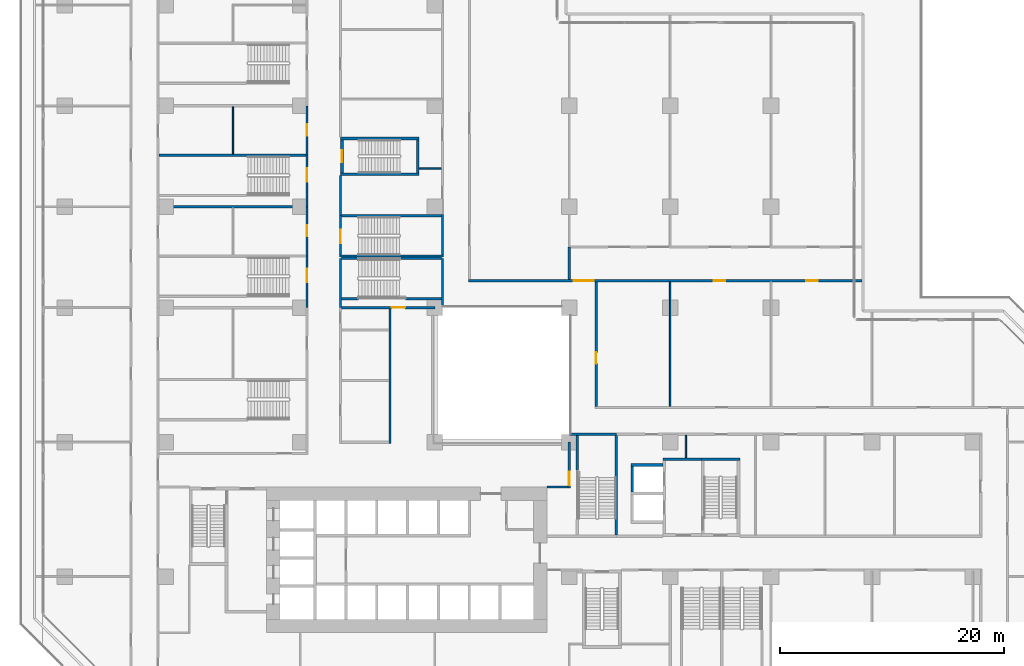
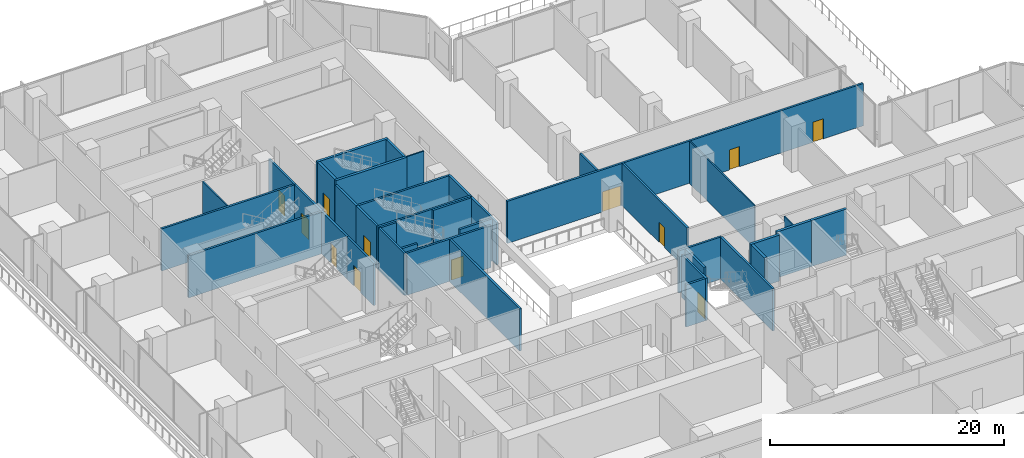
# One storey, part 18 of 31: 39 walls, 12 doors, 12 openings.
"""IFC4 building model written with IfcOpenShell, lengths in metres."""

from ifc_helpers import new_model, si_unit, direction, frame, frame_2d, origin, place, context, subcontext, project, spatial, rectangle, extrude, material, layer, layer_set, type_object, element, fill, save


model = new_model("IFC4")

# Units and contexts
model_context = context("Model", 3, precision=1e-05, world=origin(), true_north=direction((0.0, 1.0)))
body_context = subcontext(model_context, "Body", "Model", "MODEL_VIEW")
ifc_project = project(units=[si_unit("LENGTHUNIT", "METRE"), si_unit("AREAUNIT", "SQUARE_METRE"), si_unit("VOLUMEUNIT", "CUBIC_METRE"), si_unit("PLANEANGLEUNIT", "RADIAN"), si_unit("MASSUNIT", "GRAM", prefix="KILO")], contexts=[model_context])

# Site, building, storey
site_placement = place(None, origin())
site = spatial("IfcSite", under=ifc_project, at=site_placement, CompositionType="ELEMENT")
building_placement = place(site_placement, origin())
building = spatial("IfcBuilding", under=site, at=building_placement, Name="Chenar Terraces", CompositionType="ELEMENT")
storey_placement = place(building_placement, frame((0.0, 0.0, 12.0)))
storey = spatial("IfcBuildingStorey", under=building, at=storey_placement, Name="L02", CompositionType="ELEMENT", Elevation=12.0)

# Walls
ifc_material_1 = material(Name="Gypsum board on steel studs with mineral wool", Category="steel")
ifc_layer_1 = layer(ifc_material_1, 0.125)
ifc_layer_set_1 = layer_set([ifc_layer_1], Name="Gypsum board on steel studs with mineral wool")
wall_type_1 = type_object("IfcWallType", Name="Acoustic partition 125", PredefinedType="PARTITIONING", material=ifc_layer_set_1)
wall_1_placement = place(storey_placement, frame((6.0, 49.699951171875, 0.0), z_axis=(0.0, 0.0, 1.0), x_axis=(0.0, 1.0, 0.0)))
element("IfcWall", 1, at=wall_1_placement, inside=storey, type_object=wall_type_1, Name="Partition L02-038", PredefinedType="PARTITIONING", context=body_context, shape_type="SweptSolid", body=[
    extrude(rectangle(XDim=4.199951171875, YDim=0.125, at=frame_2d((2.10009765625, 0.0))), origin(), (0.0, 0.0, 1.0), 4.39990234375),
])
wall_2_placement = place(storey_placement, frame((22.60009765625, 48.39990234375, 0.0), z_axis=(0.0, 0.0, 1.0), x_axis=(1.0, 0.0, 0.0)))
element("IfcWall", 2, at=wall_2_placement, inside=storey, type_object=wall_type_1, Name="Partition L02-066", PredefinedType="PARTITIONING", context=body_context, shape_type="SweptSolid", body=[
    extrude(rectangle(XDim=2.0, YDim=0.125, at=frame_2d((1.0, 0.0))), origin(), (0.0, 0.0, 1.0), 4.39990234375),
])
wall_3_placement = place(storey_placement, frame((45.0, 27.199951171875, 0.0), z_axis=(0.0, 0.0, 1.0), x_axis=(0.0, 1.0, 0.0)))
element("IfcWall", 3, at=wall_3_placement, inside=storey, type_object=wall_type_1, Name="Partition L02-098", PredefinedType="PARTITIONING", context=body_context, shape_type="SweptSolid", body=[
    extrude(rectangle(XDim=11.10009765625, YDim=0.125, at=frame_2d((5.550048828125, 0.0))), origin(), (0.0, 0.0, 1.0), 4.39990234375),
])
wall_4_placement = place(storey_placement, frame((46.39990234375, 22.60009765625, 0.0), z_axis=(0.0, 0.0, 1.0), x_axis=(0.0, 1.0, 0.0)))
element("IfcWall", 4, at=wall_4_placement, inside=storey, type_object=wall_type_1, Name="Partition L02-100", PredefinedType="PARTITIONING", context=body_context, shape_type="SweptSolid", body=[
    extrude(rectangle(XDim=2.0, YDim=0.125, at=frame_2d((1.0, 0.0))), origin(), (0.0, 0.0, 1.0), 4.39990234375),
])
ifc_material_2 = material(Name="Concrete C70/85", Category="concrete")
ifc_layer_2 = layer(ifc_material_2, 0.25)
ifc_layer_set_2 = layer_set([ifc_layer_2], Name="Concrete C70/85")
wall_type_2 = type_object("IfcWallType", Name="Core wall 250 Concrete C70/85", PredefinedType="SHEAR", material=ifc_layer_set_2)
wall_5_placement = place(storey_placement, frame((47.77490234375, 22.47509765625, 0.0), z_axis=(0.0, 0.0, 1.0), x_axis=(1.0, 0.0, 0.0)))
element("IfcWall", 5, at=wall_5_placement, inside=storey, type_object=wall_type_2, Name="Core wall ST3_N L02", PredefinedType="SHEAR", context=body_context, shape_type="SweptSolid", body=[
    extrude(rectangle(XDim=3.4501953125, YDim=0.25, at=frame_2d((1.72509765625, 0.0))), origin(), (0.0, 0.0, 1.0), 4.800048828125),
])
for number, where, z_axis, x_axis, name in (
    (6, (15.60009765625, 47.89990234375, 0.0), (0.0, 0.0, 1.0), (1.0, 0.0, 0.0), "Core wall ST4_S L02"),
    (7, (15.60009765625, 51.10009765625, 0.0), (0.0, 0.0, 1.0), (1.0, 0.0, 0.0), "Core wall ST4_N L02"),
):
    element("IfcWall", number, at=place(storey_placement, frame(where, z_axis=z_axis, x_axis=x_axis)), inside=storey, type_object=wall_type_2, Name=name, PredefinedType="SHEAR", context=body_context, shape_type="SweptSolid", body=[
        extrude(rectangle(XDim=7.0, YDim=0.25, at=frame_2d((3.5, 0.0))), origin(), (0.0, 0.0, 1.0), 4.800048828125),
    ])

# Wall, opening, door
wall_6_placement = place(storey_placement, frame((15.72509765625, 48.02490234375, 0.0), z_axis=(0.0, 0.0, 1.0), x_axis=(0.0, 1.0, 0.0)))
wall_6 = element("IfcWall", 8, at=wall_6_placement, inside=storey, type_object=wall_type_2, Name="Core wall ST4_W L02", PredefinedType="SHEAR", context=body_context, shape_type="SweptSolid", body=[
    extrude(rectangle(XDim=2.9501953125, YDim=0.25, at=frame_2d((1.47509765625, 0.0))), origin(), (0.0, 0.0, 1.0), 4.800048828125),
])
opening_1_placement = place(wall_6_placement, frame((0.925048828125, 0.0, 0.0)))
opening_1 = element("IfcOpeningElement", 9, at=opening_1_placement, cuts=wall_6, Name="Opening DL02-C9", PredefinedType="OPENING", context=body_context, shape_type="SweptSolid", body=[
    extrude(rectangle(XDim=1.10009765625, YDim=2.199951171875, at=frame_2d((0.550048828125, 1.10009765625))), frame((0.0, 0.135009765625, 0.0), z_axis=(0.0, -1.0, 0.0), x_axis=(1.0, 0.0, 0.0)), (0.0, 0.0, 1.0), 0.27001953125),
])
ifc_material_3 = material(Name="Steel-framed fire-resisting door leaf", Category="steel")
door_type_1 = type_object("IfcDoorType", Name="Stair fire door FD60 1100 x 2200", OperationType="SINGLE_SWING_LEFT", PredefinedType="DOOR", material=ifc_material_3)
door_1_placement = place(opening_1_placement, frame((1.10009765625, 0.0, 0.0), z_axis=(0.0, 0.0, 1.0), x_axis=(-1.0, 0.0, 0.0)))
door_1 = element("IfcDoor", 10, at=door_1_placement, inside=storey, type_object=door_type_1, Name="Stair door DL02-C9", OperationType="SINGLE_SWING_RIGHT", OverallHeight=2.199951171875, OverallWidth=1.10009765625, PredefinedType="DOOR", context=body_context, shape_type="SweptSolid", body=[
    extrude(rectangle(XDim=1.10009765625, YDim=2.199951171875, at=frame_2d((0.550048828125, 1.10009765625))), frame((0.0, 0.02490234375, 0.0), z_axis=(0.0, -1.0, 0.0), x_axis=(1.0, 0.0, 0.0)), (0.0, 0.0, 1.0), 0.050048828125),
])
fill(opening_1, door_1)

# Walls
wall_7_placement = place(storey_placement, frame((22.47509765625, 48.02490234375, 0.0), z_axis=(0.0, 0.0, 1.0), x_axis=(0.0, 1.0, 0.0)))
element("IfcWall", 11, at=wall_7_placement, inside=storey, type_object=wall_type_2, Name="Core wall ST4_E L02", PredefinedType="SHEAR", context=body_context, shape_type="SweptSolid", body=[
    extrude(rectangle(XDim=2.9501953125, YDim=0.25, at=frame_2d((1.47509765625, 0.0))), origin(), (0.0, 0.0, 1.0), 4.800048828125),
])
wall_8_placement = place(storey_placement, frame((44.35009765625, 22.47509765625, 0.0), z_axis=(0.0, 0.0, 1.0), x_axis=(1.0, 0.0, 0.0)))
element("IfcWall", 12, at=wall_8_placement, inside=storey, type_object=wall_type_2, Name="Core wall F3_LN L02", PredefinedType="SHEAR", context=body_context, shape_type="SweptSolid", body=[
    extrude(rectangle(XDim=3.4248046875, YDim=0.25, at=frame_2d((1.71240234375, 0.0))), origin(), (0.0, 0.0, 1.0), 4.800048828125),
])
wall_9_placement = place(storey_placement, frame((41.5, 21.97509765625, 0.0), z_axis=(0.0, 0.0, 1.0), x_axis=(1.0, 0.0, 0.0)))
element("IfcWall", 13, at=wall_9_placement, inside=storey, type_object=wall_type_2, Name="Core wall F4_SN L02", PredefinedType="SHEAR", context=body_context, shape_type="SweptSolid", body=[
    extrude(rectangle(XDim=2.85009765625, YDim=0.25, at=frame_2d((1.425048828125, 0.0))), origin(), (0.0, 0.0, 1.0), 4.800048828125),
])
wall_10_placement = place(storey_placement, frame((41.625, 19.550048828125, 0.0), z_axis=(0.0, 0.0, 1.0), x_axis=(0.0, 1.0, 0.0)))
element("IfcWall", 14, at=wall_10_placement, inside=storey, type_object=wall_type_2, Name="Core wall F4_SW L02", PredefinedType="SHEAR", context=body_context, shape_type="SweptSolid", body=[
    extrude(rectangle(XDim=2.300048828125, YDim=0.25, at=frame_2d((1.14990234375, 0.0))), origin(), (0.0, 0.0, 1.0), 4.800048828125),
])

# Wall, opening, door
ifc_material_4 = material(Name="Gypsum board on steel studs with fire boards", Category="steel")
ifc_layer_3 = layer(ifc_material_4, 0.199951171875)
ifc_layer_set_3 = layer_set([ifc_layer_3], Name="Gypsum board on steel studs with fire boards")
wall_type_3 = type_object("IfcWallType", Name="Corridor wall 200", PredefinedType="PARTITIONING", material=ifc_layer_set_3)
wall_11_placement = place(storey_placement, frame((12.60009765625, 40.60009765625, 0.0), z_axis=(0.0, 0.0, 1.0), x_axis=(0.0, 1.0, 0.0)))
wall_11 = element("IfcWall", 15, at=wall_11_placement, inside=storey, type_object=wall_type_3, Name="Partition L02-046", PredefinedType="PARTITIONING", context=body_context, shape_type="SweptSolid", body=[
    extrude(rectangle(XDim=4.39990234375, YDim=0.199951171875, at=frame_2d((2.199951171875, 0.0))), origin(), (0.0, 0.0, 1.0), 4.39990234375),
])
opening_2_placement = place(wall_11_placement, frame((1.75, 0.0, 0.0)))
opening_2 = element("IfcOpeningElement", 16, at=opening_2_placement, cuts=wall_11, Name="Opening DL02-13", PredefinedType="OPENING", context=body_context, shape_type="SweptSolid", body=[
    extrude(rectangle(XDim=1.0, YDim=2.10009765625, at=frame_2d((0.5, 1.050048828125))), frame((0.0, 0.10986328125, 0.0), z_axis=(0.0, -1.0, 0.0), x_axis=(1.0, 0.0, 0.0)), (0.0, 0.0, 1.0), 0.219970703125),
])
ifc_material_5 = material(Name="Steel-framed fire-resisting door leaf", Category="steel")
door_type_2 = type_object("IfcDoorType", Name="Fire door FD60 1000 x 2100", OperationType="SINGLE_SWING_LEFT", PredefinedType="DOOR", material=ifc_material_5)
door_2_placement = place(opening_2_placement, origin())
door_2 = element("IfcDoor", 17, at=door_2_placement, inside=storey, type_object=door_type_2, Name="Door DL02-13", OperationType="SINGLE_SWING_RIGHT", OverallHeight=2.10009765625, OverallWidth=1.0, PredefinedType="DOOR", context=body_context, shape_type="SweptSolid", body=[
    extrude(rectangle(XDim=1.0, YDim=2.10009765625, at=frame_2d((0.5, 1.050048828125))), frame((0.0, 0.02490234375, 0.0), z_axis=(0.0, -1.0, 0.0), x_axis=(1.0, 0.0, 0.0)), (0.0, 0.0, 1.0), 0.050048828125),
])
fill(opening_2, door_2)

wall_12_placement = place(storey_placement, frame((12.60009765625, 49.60009765625, 0.0), z_axis=(0.0, 0.0, 1.0), x_axis=(0.0, 1.0, 0.0)))
wall_12 = element("IfcWall", 18, at=wall_12_placement, inside=storey, type_object=wall_type_3, Name="Partition L02-048", PredefinedType="PARTITIONING", context=body_context, shape_type="SweptSolid", body=[
    extrude(rectangle(XDim=4.39990234375, YDim=0.199951171875, at=frame_2d((2.199951171875, 0.0))), origin(), (0.0, 0.0, 1.0), 4.39990234375),
])
opening_3_placement = place(wall_12_placement, frame((1.75, 0.0, 0.0)))
opening_3 = element("IfcOpeningElement", 19, at=opening_3_placement, cuts=wall_12, Name="Opening DL02-14", PredefinedType="OPENING", context=body_context, shape_type="SweptSolid", body=[
    extrude(rectangle(XDim=1.0, YDim=2.10009765625, at=frame_2d((0.5, 1.050048828125))), frame((0.0, 0.10986328125, 0.0), z_axis=(0.0, -1.0, 0.0), x_axis=(1.0, 0.0, 0.0)), (0.0, 0.0, 1.0), 0.219970703125),
])
door_3_placement = place(opening_3_placement, origin())
door_3 = element("IfcDoor", 20, at=door_3_placement, inside=storey, type_object=door_type_2, Name="Door DL02-14", OperationType="SINGLE_SWING_RIGHT", OverallHeight=2.10009765625, OverallWidth=1.0, PredefinedType="DOOR", context=body_context, shape_type="SweptSolid", body=[
    extrude(rectangle(XDim=1.0, YDim=2.10009765625, at=frame_2d((0.5, 1.050048828125))), frame((0.0, 0.02490234375, 0.0), z_axis=(0.0, -1.0, 0.0), x_axis=(1.0, 0.0, 0.0)), (0.0, 0.0, 1.0), 0.050048828125),
])
fill(opening_3, door_3)

# Walls
wall_13_placement = place(storey_placement, frame((15.60009765625, 44.199951171875, 0.0), z_axis=(0.0, 0.0, 1.0), x_axis=(0.0, 1.0, 0.0)))
element("IfcWall", 21, at=wall_13_placement, inside=storey, type_object=wall_type_3, Name="Partition L02-055", PredefinedType="PARTITIONING", context=body_context, shape_type="SweptSolid", body=[
    extrude(rectangle(XDim=3.574951171875, YDim=0.199951171875, at=frame_2d((1.78759765625, 0.0))), origin(), (0.0, 0.0, 1.0), 4.39990234375),
])
wall_14_placement = place(storey_placement, frame((20.0, 23.89990234375, 0.0), z_axis=(0.0, 0.0, 1.0), x_axis=(0.0, 1.0, 0.0)))
element("IfcWall", 22, at=wall_14_placement, inside=storey, type_object=wall_type_3, Name="Partition L02-065", PredefinedType="PARTITIONING", context=body_context, shape_type="SweptSolid", body=[
    extrude(rectangle(XDim=12.0, YDim=0.199951171875, at=frame_2d((6.0, 0.0))), origin(), (0.0, 0.0, 1.0), 4.39990234375),
])

# Wall, openings, doors
wall_15_placement = place(storey_placement, frame((27.0, 38.39990234375, 0.0), z_axis=(0.0, 0.0, 1.0), x_axis=(1.0, 0.0, 0.0)))
wall_15 = element("IfcWall", 23, at=wall_15_placement, inside=storey, type_object=wall_type_3, Name="Partition L02-073", PredefinedType="PARTITIONING", context=body_context, shape_type="SweptSolid", body=[
    extrude(rectangle(XDim=35.10009765625, YDim=0.199951171875, at=frame_2d((17.550048828125, 0.0))), origin(), (0.0, 0.0, 1.0), 4.39990234375),
])
opening_4_placement = place(wall_15_placement, frame((21.89990234375, 0.0, 0.0)))
opening_4 = element("IfcOpeningElement", 24, at=opening_4_placement, cuts=wall_15, Name="Opening DL02-30", PredefinedType="OPENING", context=body_context, shape_type="SweptSolid", body=[
    extrude(rectangle(XDim=1.0, YDim=2.10009765625, at=frame_2d((0.5, 1.050048828125))), frame((0.0, 0.10986328125, 0.0), z_axis=(0.0, -1.0, 0.0), x_axis=(1.0, 0.0, 0.0)), (0.0, 0.0, 1.0), 0.219970703125),
])
opening_5_placement = place(wall_15_placement, frame((30.14990234375, 0.0, 0.0)))
opening_5 = element("IfcOpeningElement", 25, at=opening_5_placement, cuts=wall_15, Name="Opening DL02-32", PredefinedType="OPENING", context=body_context, shape_type="SweptSolid", body=[
    extrude(rectangle(XDim=1.0, YDim=2.10009765625, at=frame_2d((0.5, 1.050048828125))), frame((0.0, 0.10986328125, 0.0), z_axis=(0.0, -1.0, 0.0), x_axis=(1.0, 0.0, 0.0)), (0.0, 0.0, 1.0), 0.219970703125),
])
opening_6_placement = place(wall_15_placement, frame((9.39990234375, 0.0, 0.0)))
opening_6 = element("IfcOpeningElement", 26, at=opening_6_placement, cuts=wall_15, Name="Opening DL02-40", PredefinedType="OPENING", context=body_context, shape_type="SweptSolid", body=[
    extrude(rectangle(XDim=1.800048828125, YDim=2.10009765625, at=frame_2d((0.89990234375, 1.050048828125))), frame((0.0, 0.10986328125, 0.0), z_axis=(0.0, -1.0, 0.0), x_axis=(1.0, 0.0, 0.0)), (0.0, 0.0, 1.0), 0.219970703125),
])
door_4_placement = place(opening_4_placement, origin())
door_4 = element("IfcDoor", 27, at=door_4_placement, inside=storey, type_object=door_type_2, Name="Door DL02-30", OperationType="SINGLE_SWING_LEFT", OverallHeight=2.10009765625, OverallWidth=1.0, PredefinedType="DOOR", context=body_context, shape_type="SweptSolid", body=[
    extrude(rectangle(XDim=1.0, YDim=2.10009765625, at=frame_2d((0.5, 1.050048828125))), frame((0.0, 0.02490234375, 0.0), z_axis=(0.0, -1.0, 0.0), x_axis=(1.0, 0.0, 0.0)), (0.0, 0.0, 1.0), 0.050048828125),
])
fill(opening_4, door_4)
door_5_placement = place(opening_5_placement, origin())
door_5 = element("IfcDoor", 28, at=door_5_placement, inside=storey, type_object=door_type_2, Name="Door DL02-32", OperationType="SINGLE_SWING_RIGHT", OverallHeight=2.10009765625, OverallWidth=1.0, PredefinedType="DOOR", context=body_context, shape_type="SweptSolid", body=[
    extrude(rectangle(XDim=1.0, YDim=2.10009765625, at=frame_2d((0.5, 1.050048828125))), frame((0.0, 0.02490234375, 0.0), z_axis=(0.0, -1.0, 0.0), x_axis=(1.0, 0.0, 0.0)), (0.0, 0.0, 1.0), 0.050048828125),
])
fill(opening_5, door_5)
ifc_material_6 = material(Name="Steel-framed fire-resisting door leaf", Category="steel")
door_type_3 = type_object("IfcDoorType", Name="Fire double door FD60 1800 x 2100", OperationType="DOUBLE_DOOR_SINGLE_SWING", PredefinedType="DOOR", material=ifc_material_6)
door_6_placement = place(opening_6_placement, origin())
door_6 = element("IfcDoor", 29, at=door_6_placement, inside=storey, type_object=door_type_3, Name="Door DL02-40", OperationType="DOUBLE_DOOR_SINGLE_SWING", OverallHeight=2.10009765625, OverallWidth=1.800048828125, PredefinedType="DOOR", context=body_context, shape_type="SweptSolid", body=[
    extrude(rectangle(XDim=1.800048828125, YDim=2.10009765625, at=frame_2d((0.89990234375, 1.050048828125))), frame((0.0, 0.02490234375, 0.0), z_axis=(0.0, -1.0, 0.0), x_axis=(1.0, 0.0, 0.0)), (0.0, 0.0, 1.0), 0.050048828125),
])
fill(opening_6, door_6)

# Wall
wall_16_placement = place(storey_placement, frame((36.0, 38.5, 0.0), z_axis=(0.0, 0.0, 1.0), x_axis=(0.0, 1.0, 0.0)))
element("IfcWall", 30, at=wall_16_placement, inside=storey, type_object=wall_type_3, Name="Partition L02-083", PredefinedType="PARTITIONING", context=body_context, shape_type="SweptSolid", body=[
    extrude(rectangle(XDim=2.89990234375, YDim=0.199951171875, at=frame_2d((1.449951171875, 0.0))), origin(), (0.0, 0.0, 1.0), 4.39990234375),
])

# Wall, opening, door
wall_17_placement = place(storey_placement, frame((38.39990234375, 27.199951171875, 0.0), z_axis=(0.0, 0.0, 1.0), x_axis=(0.0, 1.0, 0.0)))
wall_17 = element("IfcWall", 31, at=wall_17_placement, inside=storey, type_object=wall_type_3, Name="Partition L02-088", PredefinedType="PARTITIONING", context=body_context, shape_type="SweptSolid", body=[
    extrude(rectangle(XDim=11.10009765625, YDim=0.199951171875, at=frame_2d((5.550048828125, 0.0))), origin(), (0.0, 0.0, 1.0), 4.39990234375),
])
opening_7_placement = place(wall_17_placement, frame((3.800048828125, 0.0, 0.0)))
opening_7 = element("IfcOpeningElement", 32, at=opening_7_placement, cuts=wall_17, Name="Opening DL02-28", PredefinedType="OPENING", context=body_context, shape_type="SweptSolid", body=[
    extrude(rectangle(XDim=1.0, YDim=2.10009765625, at=frame_2d((0.5, 1.050048828125))), frame((0.0, 0.10986328125, 0.0), z_axis=(0.0, -1.0, 0.0), x_axis=(1.0, 0.0, 0.0)), (0.0, 0.0, 1.0), 0.219970703125),
])
door_7_placement = place(opening_7_placement, frame((1.0, 0.0, 0.0), z_axis=(0.0, 0.0, 1.0), x_axis=(-1.0, 0.0, 0.0)))
door_7 = element("IfcDoor", 33, at=door_7_placement, inside=storey, type_object=door_type_2, Name="Door DL02-28", OperationType="SINGLE_SWING_LEFT", OverallHeight=2.10009765625, OverallWidth=1.0, PredefinedType="DOOR", context=body_context, shape_type="SweptSolid", body=[
    extrude(rectangle(XDim=1.0, YDim=2.10009765625, at=frame_2d((0.5, 1.050048828125))), frame((0.0, 0.02490234375, 0.0), z_axis=(0.0, -1.0, 0.0), x_axis=(1.0, 0.0, 0.0)), (0.0, 0.0, 1.0), 0.050048828125),
])
fill(opening_7, door_7)

# Walls
ifc_material_7 = material(Name="Reinforced concrete C40/50", Category="concrete")
ifc_layer_4 = layer(ifc_material_7, 0.199951171875)
ifc_layer_set_4 = layer_set([ifc_layer_4], Name="Reinforced concrete C40/50")
wall_type_4 = type_object("IfcWallType", Name="Stair enclosure wall 200 concrete", PredefinedType="SOLIDWALL", material=ifc_layer_set_4)
for number, where, z_axis, x_axis, name in (
    (34, (-0.60009765625, 45.0, 0.0), (0.0, 0.0, 1.0), (1.0, 0.0, 0.0), "Stair enclosure wall L02-026"),
    (35, (-0.60009765625, 49.60009765625, 0.0), (0.0, 0.0, 1.0), (1.0, 0.0, 0.0), "Stair enclosure wall L02-027"),
):
    element("IfcWall", number, at=place(storey_placement, frame(where, z_axis=z_axis, x_axis=x_axis)), inside=storey, type_object=wall_type_4, Name=name, PredefinedType="SOLIDWALL", context=body_context, shape_type="SweptSolid", body=[
        extrude(rectangle(XDim=13.10009765625, YDim=0.199951171875, at=frame_2d((6.550048828125, 0.0))), origin(), (0.0, 0.0, 1.0), 4.39990234375),
    ])

# Wall, opening, door
wall_18_placement = place(storey_placement, frame((12.60009765625, 36.0, 0.0), z_axis=(0.0, 0.0, 1.0), x_axis=(0.0, 1.0, 0.0)))
wall_18 = element("IfcWall", 36, at=wall_18_placement, inside=storey, type_object=wall_type_4, Name="Stair enclosure wall L02-045", PredefinedType="SOLIDWALL", context=body_context, shape_type="SweptSolid", body=[
    extrude(rectangle(XDim=4.60009765625, YDim=0.199951171875, at=frame_2d((2.300048828125, 0.0))), origin(), (0.0, 0.0, 1.0), 4.39990234375),
])
opening_8_placement = place(wall_18_placement, frame((2.25, 0.0, 0.0)))
opening_8 = element("IfcOpeningElement", 37, at=opening_8_placement, cuts=wall_18, Name="Opening DL02-87", PredefinedType="OPENING", context=body_context, shape_type="SweptSolid", body=[
    extrude(rectangle(XDim=1.199951171875, YDim=2.10009765625, at=frame_2d((0.60009765625, 1.050048828125))), frame((0.0, 0.10986328125, 0.0), z_axis=(0.0, -1.0, 0.0), x_axis=(1.0, 0.0, 0.0)), (0.0, 0.0, 1.0), 0.219970703125),
])
ifc_material_8 = material(Name="Steel-framed fire-resisting door leaf", Category="steel")
door_type_4 = type_object("IfcDoorType", Name="Fire door FD120 1200 x 2100", OperationType="SINGLE_SWING_LEFT", PredefinedType="DOOR", material=ifc_material_8)
door_8_placement = place(opening_8_placement, origin())
door_8 = element("IfcDoor", 38, at=door_8_placement, inside=storey, type_object=door_type_4, Name="Door DL02-87", OperationType="SINGLE_SWING_RIGHT", OverallHeight=2.10009765625, OverallWidth=1.199951171875, PredefinedType="DOOR", context=body_context, shape_type="SweptSolid", body=[
    extrude(rectangle(XDim=1.199951171875, YDim=2.10009765625, at=frame_2d((0.60009765625, 1.050048828125))), frame((0.0, 0.02490234375, 0.0), z_axis=(0.0, -1.0, 0.0), x_axis=(1.0, 0.0, 0.0)), (0.0, 0.0, 1.0), 0.050048828125),
])
fill(opening_8, door_8)

wall_19_placement = place(storey_placement, frame((12.60009765625, 45.0, 0.0), z_axis=(0.0, 0.0, 1.0), x_axis=(0.0, 1.0, 0.0)))
wall_19 = element("IfcWall", 39, at=wall_19_placement, inside=storey, type_object=wall_type_4, Name="Stair enclosure wall L02-047", PredefinedType="SOLIDWALL", context=body_context, shape_type="SweptSolid", body=[
    extrude(rectangle(XDim=4.60009765625, YDim=0.199951171875, at=frame_2d((2.300048828125, 0.0))), origin(), (0.0, 0.0, 1.0), 4.39990234375),
])
opening_9_placement = place(wall_19_placement, frame((2.25, 0.0, 0.0)))
opening_9 = element("IfcOpeningElement", 40, at=opening_9_placement, cuts=wall_19, Name="Opening DL02-82", PredefinedType="OPENING", context=body_context, shape_type="SweptSolid", body=[
    extrude(rectangle(XDim=1.199951171875, YDim=2.10009765625, at=frame_2d((0.60009765625, 1.050048828125))), frame((0.0, 0.10986328125, 0.0), z_axis=(0.0, -1.0, 0.0), x_axis=(1.0, 0.0, 0.0)), (0.0, 0.0, 1.0), 0.219970703125),
])
door_9_placement = place(opening_9_placement, origin())
door_9 = element("IfcDoor", 41, at=door_9_placement, inside=storey, type_object=door_type_4, Name="Door DL02-82", OperationType="SINGLE_SWING_RIGHT", OverallHeight=2.10009765625, OverallWidth=1.199951171875, PredefinedType="DOOR", context=body_context, shape_type="SweptSolid", body=[
    extrude(rectangle(XDim=1.199951171875, YDim=2.10009765625, at=frame_2d((0.60009765625, 1.050048828125))), frame((0.0, 0.02490234375, 0.0), z_axis=(0.0, -1.0, 0.0), x_axis=(1.0, 0.0, 0.0)), (0.0, 0.0, 1.0), 0.050048828125),
])
fill(opening_9, door_9)

# Walls
wall_20_placement = place(storey_placement, frame((15.5, 40.60009765625, 0.0), z_axis=(0.0, 0.0, 1.0), x_axis=(1.0, 0.0, 0.0)))
element("IfcWall", 42, at=wall_20_placement, inside=storey, type_object=wall_type_4, Name="Stair enclosure wall L02-051", PredefinedType="SOLIDWALL", context=body_context, shape_type="SweptSolid", body=[
    extrude(rectangle(XDim=9.300048828125, YDim=0.199951171875, at=frame_2d((4.64990234375, 0.0))), origin(), (0.0, 0.0, 1.0), 4.39990234375),
])
wall_21_placement = place(storey_placement, frame((15.60009765625, 36.0, 0.0), z_axis=(0.0, 0.0, 1.0), x_axis=(0.0, 1.0, 0.0)))
element("IfcWall", 43, at=wall_21_placement, inside=storey, type_object=wall_type_4, Name="Stair enclosure wall L02-053", PredefinedType="SOLIDWALL", context=body_context, shape_type="SweptSolid", body=[
    extrude(rectangle(XDim=4.39990234375, YDim=0.199951171875, at=frame_2d((2.199951171875, 0.0))), origin(), (0.0, 0.0, 1.0), 4.39990234375),
])

# Wall, opening, door
wall_22_placement = place(storey_placement, frame((15.60009765625, 40.699951171875, 0.0), z_axis=(0.0, 0.0, 1.0), x_axis=(0.0, 1.0, 0.0)))
wall_22 = element("IfcWall", 44, at=wall_22_placement, inside=storey, type_object=wall_type_4, Name="Stair enclosure wall L02-054", PredefinedType="SOLIDWALL", context=body_context, shape_type="SweptSolid", body=[
    extrude(rectangle(XDim=3.5, YDim=0.199951171875, at=frame_2d((1.75, 0.0))), origin(), (0.0, 0.0, 1.0), 4.39990234375),
])
opening_10_placement = place(wall_22_placement, frame((1.050048828125, 0.0, 0.0)))
opening_10 = element("IfcOpeningElement", 45, at=opening_10_placement, cuts=wall_22, Name="Opening DL02-86", PredefinedType="OPENING", context=body_context, shape_type="SweptSolid", body=[
    extrude(rectangle(XDim=1.199951171875, YDim=2.10009765625, at=frame_2d((0.60009765625, 1.050048828125))), frame((0.0, 0.10986328125, 0.0), z_axis=(0.0, -1.0, 0.0), x_axis=(1.0, 0.0, 0.0)), (0.0, 0.0, 1.0), 0.219970703125),
])
door_10_placement = place(opening_10_placement, frame((1.199951171875, 0.0, 0.0), z_axis=(0.0, 0.0, 1.0), x_axis=(-1.0, 0.0, 0.0)))
door_10 = element("IfcDoor", 46, at=door_10_placement, inside=storey, type_object=door_type_4, Name="Door DL02-86", OperationType="SINGLE_SWING_RIGHT", OverallHeight=2.10009765625, OverallWidth=1.199951171875, PredefinedType="DOOR", context=body_context, shape_type="SweptSolid", body=[
    extrude(rectangle(XDim=1.199951171875, YDim=2.10009765625, at=frame_2d((0.60009765625, 1.050048828125))), frame((0.0, 0.02490234375, 0.0), z_axis=(0.0, -1.0, 0.0), x_axis=(1.0, 0.0, 0.0)), (0.0, 0.0, 1.0), 0.050048828125),
])
fill(opening_10, door_10)

wall_23_placement = place(storey_placement, frame((15.699951171875, 36.0, 0.0), z_axis=(0.0, 0.0, 1.0), x_axis=(1.0, 0.0, 0.0)))
wall_23 = element("IfcWall", 47, at=wall_23_placement, inside=storey, type_object=wall_type_4, Name="Stair enclosure wall L02-060", PredefinedType="SOLIDWALL", context=body_context, shape_type="SweptSolid", body=[
    extrude(rectangle(XDim=8.300048828125, YDim=0.199951171875, at=frame_2d((4.14990234375, 0.0))), origin(), (0.0, 0.0, 1.0), 4.39990234375),
])
opening_11_placement = place(wall_23_placement, frame((4.449951171875, 0.0, 0.0)))
opening_11 = element("IfcOpeningElement", 48, at=opening_11_placement, cuts=wall_23, Name="Opening DL02-85", PredefinedType="OPENING", context=body_context, shape_type="SweptSolid", body=[
    extrude(rectangle(XDim=1.199951171875, YDim=2.10009765625, at=frame_2d((0.60009765625, 1.050048828125))), frame((0.0, 0.10986328125, 0.0), z_axis=(0.0, -1.0, 0.0), x_axis=(1.0, 0.0, 0.0)), (0.0, 0.0, 1.0), 0.219970703125),
])
door_11_placement = place(opening_11_placement, origin())
door_11 = element("IfcDoor", 49, at=door_11_placement, inside=storey, type_object=door_type_4, Name="Door DL02-85", OperationType="SINGLE_SWING_RIGHT", OverallHeight=2.10009765625, OverallWidth=1.199951171875, PredefinedType="DOOR", context=body_context, shape_type="SweptSolid", body=[
    extrude(rectangle(XDim=1.199951171875, YDim=2.10009765625, at=frame_2d((0.60009765625, 1.050048828125))), frame((0.0, 0.02490234375, 0.0), z_axis=(0.0, -1.0, 0.0), x_axis=(1.0, 0.0, 0.0)), (0.0, 0.0, 1.0), 0.050048828125),
])
fill(opening_11, door_11)

# Walls
wall_24_placement = place(storey_placement, frame((15.699951171875, 44.199951171875, 0.0), z_axis=(0.0, 0.0, 1.0), x_axis=(1.0, 0.0, 0.0)))
element("IfcWall", 50, at=wall_24_placement, inside=storey, type_object=wall_type_4, Name="Stair enclosure wall L02-061", PredefinedType="SOLIDWALL", context=body_context, shape_type="SweptSolid", body=[
    extrude(rectangle(XDim=8.900146484375, YDim=0.199951171875, at=frame_2d((4.4501953125, 0.0))), origin(), (0.0, 0.0, 1.0), 4.39990234375),
])
wall_25_placement = place(storey_placement, frame((24.699951171875, 36.0, 0.0), z_axis=(0.0, 0.0, 1.0), x_axis=(0.0, 1.0, 0.0)))
element("IfcWall", 51, at=wall_25_placement, inside=storey, type_object=wall_type_4, Name="Stair enclosure wall L02-070", PredefinedType="SOLIDWALL", context=body_context, shape_type="SweptSolid", body=[
    extrude(rectangle(XDim=4.39990234375, YDim=0.199951171875, at=frame_2d((2.199951171875, 0.0))), origin(), (0.0, 0.0, 1.0), 4.39990234375),
])
wall_26_placement = place(storey_placement, frame((24.699951171875, 40.699951171875, 0.0), z_axis=(0.0, 0.0, 1.0), x_axis=(0.0, 1.0, 0.0)))
element("IfcWall", 52, at=wall_26_placement, inside=storey, type_object=wall_type_4, Name="Stair enclosure wall L02-071", PredefinedType="SOLIDWALL", context=body_context, shape_type="SweptSolid", body=[
    extrude(rectangle(XDim=3.60009765625, YDim=0.199951171875, at=frame_2d((1.800048828125, 0.0))), origin(), (0.0, 0.0, 1.0), 4.39990234375),
])
wall_27_placement = place(storey_placement, frame((34.0, 20.0, 0.0), z_axis=(0.0, 0.0, 1.0), x_axis=(1.0, 0.0, 0.0)))
element("IfcWall", 53, at=wall_27_placement, inside=storey, type_object=wall_type_4, Name="Stair enclosure wall L02-078", PredefinedType="SOLIDWALL", context=body_context, shape_type="SweptSolid", body=[
    extrude(rectangle(XDim=1.89990234375, YDim=0.199951171875, at=frame_2d((0.949951171875, 0.0))), origin(), (0.0, 0.0, 1.0), 4.39990234375),
])

# Wall, opening, door
wall_28_placement = place(storey_placement, frame((36.0, 19.89990234375, 0.0), z_axis=(0.0, 0.0, 1.0), x_axis=(0.0, 1.0, 0.0)))
wall_28 = element("IfcWall", 54, at=wall_28_placement, inside=storey, type_object=wall_type_4, Name="Stair enclosure wall L02-081", PredefinedType="SOLIDWALL", context=body_context, shape_type="SweptSolid", body=[
    extrude(rectangle(XDim=4.10009765625, YDim=0.199951171875, at=frame_2d((2.050048828125, 0.0))), origin(), (0.0, 0.0, 1.0), 4.39990234375),
])
opening_12_placement = place(wall_28_placement, frame((0.25, 0.0, 0.0)))
opening_12 = element("IfcOpeningElement", 55, at=opening_12_placement, cuts=wall_28, Name="Opening DL02-79", PredefinedType="OPENING", context=body_context, shape_type="SweptSolid", body=[
    extrude(rectangle(XDim=1.199951171875, YDim=2.10009765625, at=frame_2d((0.60009765625, 1.050048828125))), frame((0.0, 0.10986328125, 0.0), z_axis=(0.0, -1.0, 0.0), x_axis=(1.0, 0.0, 0.0)), (0.0, 0.0, 1.0), 0.219970703125),
])
door_12_placement = place(opening_12_placement, frame((1.199951171875, 0.0, 0.0), z_axis=(0.0, 0.0, 1.0), x_axis=(-1.0, 0.0, 0.0)))
door_12 = element("IfcDoor", 56, at=door_12_placement, inside=storey, type_object=door_type_4, Name="Door DL02-79", OperationType="SINGLE_SWING_LEFT", OverallHeight=2.10009765625, OverallWidth=1.199951171875, PredefinedType="DOOR", context=body_context, shape_type="SweptSolid", body=[
    extrude(rectangle(XDim=1.199951171875, YDim=2.10009765625, at=frame_2d((0.60009765625, 1.050048828125))), frame((0.0, 0.02490234375, 0.0), z_axis=(0.0, -1.0, 0.0), x_axis=(1.0, 0.0, 0.0)), (0.0, 0.0, 1.0), 0.050048828125),
])
fill(opening_12, door_12)

# Walls
wall_29_placement = place(storey_placement, frame((36.0, 24.699951171875, 0.0), z_axis=(0.0, 0.0, 1.0), x_axis=(1.0, 0.0, 0.0)))
element("IfcWall", 57, at=wall_29_placement, inside=storey, type_object=wall_type_4, Name="Stair enclosure wall L02-082", PredefinedType="SOLIDWALL", context=body_context, shape_type="SweptSolid", body=[
    extrude(rectangle(XDim=4.199951171875, YDim=0.199951171875, at=frame_2d((2.10009765625, 0.0))), origin(), (0.0, 0.0, 1.0), 4.39990234375),
])
wall_30_placement = place(storey_placement, frame((40.199951171875, 15.699951171875, 0.0), z_axis=(0.0, 0.0, 1.0), x_axis=(0.0, 1.0, 0.0)))
element("IfcWall", 58, at=wall_30_placement, inside=storey, type_object=wall_type_4, Name="Stair enclosure wall L02-090", PredefinedType="SOLIDWALL", context=body_context, shape_type="SweptSolid", body=[
    extrude(rectangle(XDim=8.900146484375, YDim=0.199951171875, at=frame_2d((4.4501953125, 0.0))), origin(), (0.0, 0.0, 1.0), 4.39990234375),
])
for number, where, z_axis, x_axis, name in (
    (59, (36.715087890625, 21.39990234375, 0.0), (0.0, 0.0, 1.0), (0.0, 1.0, 0.0), "Stair enclosure wall L02-PS1-003"),
    (60, (21.39990234375, 36.800048828125, 0.0), (0.0, 0.0, 1.0), (1.0, 0.0, 0.0), "Stair enclosure wall L02-PS7-044"),
):
    element("IfcWall", number, at=place(storey_placement, frame(where, z_axis=z_axis, x_axis=x_axis)), inside=storey, type_object=wall_type_4, Name=name, PredefinedType="SOLIDWALL", context=body_context, shape_type="SweptSolid", body=[
        extrude(rectangle(XDim=3.2001953125, YDim=0.199951171875, at=frame_2d((1.60009765625, 0.0))), origin(), (0.0, 0.0, 1.0), 4.39990234375),
    ])
wall_31_placement = place(storey_placement, frame((20.85498046875, 40.39990234375, 0.0), z_axis=(0.0, 0.0, 1.0), x_axis=(1.0, 0.0, 0.0)))
element("IfcWall", 61, at=wall_31_placement, inside=storey, type_object=wall_type_4, Name="Stair enclosure wall L02-PS7-045", PredefinedType="SOLIDWALL", context=body_context, shape_type="SweptSolid", body=[
    extrude(rectangle(XDim=3.7451171875, YDim=0.199951171875, at=frame_2d((1.87255859375, 0.0))), origin(), (0.0, 0.0, 1.0), 4.39990234375),
])
for number, where, z_axis, x_axis, name in (
    (62, (15.699951171875, 36.800048828125, 0.0), (0.0, 0.0, 1.0), (1.0, 0.0, 0.0), "Stair enclosure wall L02-PS7-055"),
    (63, (15.699951171875, 40.39990234375, 0.0), (0.0, 0.0, 1.0), (1.0, 0.0, 0.0), "Stair enclosure wall L02-PS7-061"),
):
    element("IfcWall", number, at=place(storey_placement, frame(where, z_axis=z_axis, x_axis=x_axis)), inside=storey, type_object=wall_type_4, Name=name, PredefinedType="SOLIDWALL", context=body_context, shape_type="SweptSolid", body=[
        extrude(rectangle(XDim=1.51513671875, YDim=0.199951171875, at=frame_2d((0.757568359375, 0.0))), origin(), (0.0, 0.0, 1.0), 4.39990234375),
    ])

save(model, "model.ifc")
